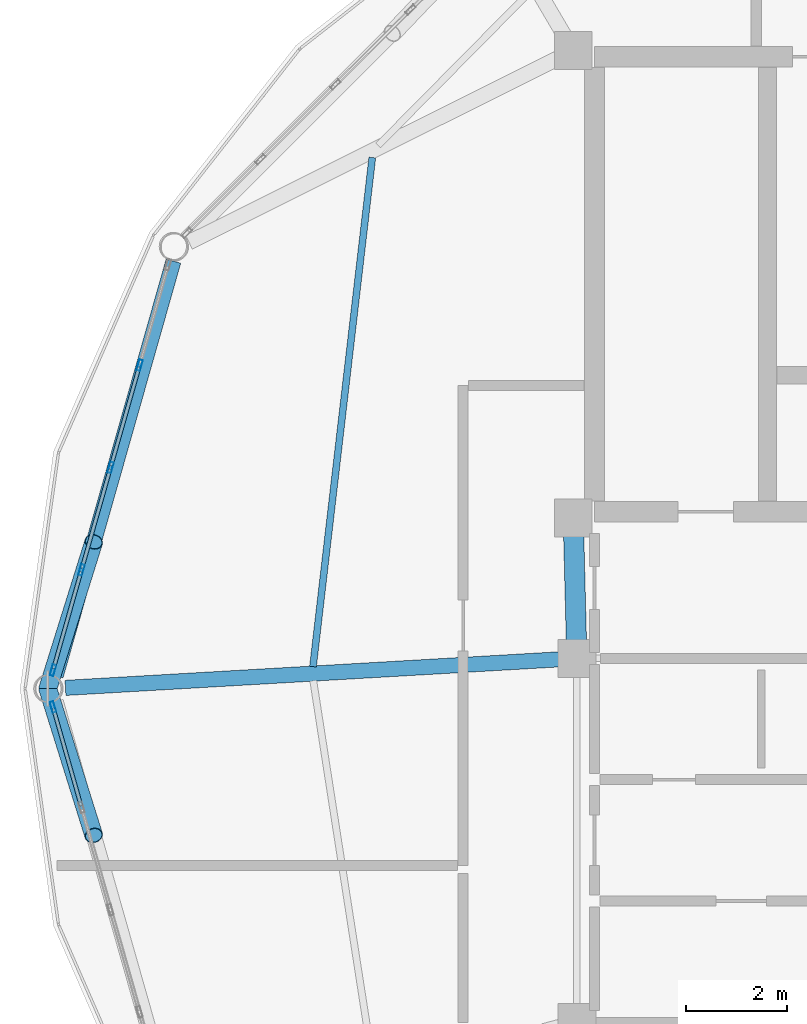
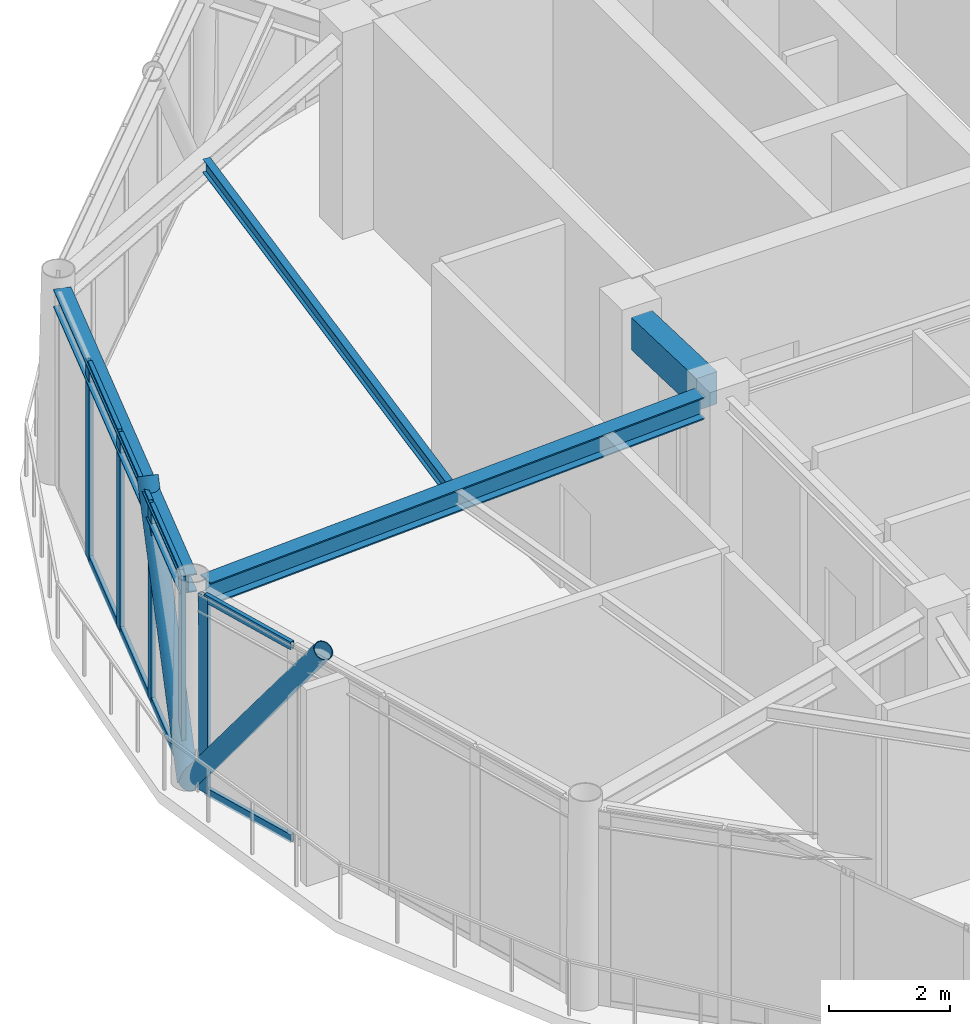
# One storey, part 8 of 21: 15 members, 4 beams, 2 elements without a shape of their own.
"""IFC4 building model written with IfcOpenShell, lengths in metres."""

from ifc_helpers import new_model, si_unit, direction, frame, origin, origin_2d, place, context, subcontext, project, spatial, rectangle, hollow_rectangle, hollow_circle, i_section, extrude, material, layer, layer_set, material_profile, profile_set, type_object, element, aggregate, save


model = new_model("IFC4")

# Units and contexts
model_context = context("Model", 3, precision=1e-05, world=origin(), true_north=direction((0.0, 1.0)))
body_context = subcontext(model_context, "Body", "Model", "MODEL_VIEW")
ifc_project = project(units=[si_unit("LENGTHUNIT", "METRE"), si_unit("AREAUNIT", "SQUARE_METRE"), si_unit("VOLUMEUNIT", "CUBIC_METRE"), si_unit("PLANEANGLEUNIT", "RADIAN"), si_unit("MASSUNIT", "GRAM", prefix="KILO")], contexts=[model_context])

# Site, building, storey
site_placement = place(None, origin())
site = spatial("IfcSite", under=ifc_project, at=site_placement, CompositionType="ELEMENT")
building_placement = place(site_placement, origin())
building = spatial("IfcBuilding", under=site, at=building_placement, Name="Varnakorn Sky Granary", CompositionType="ELEMENT")
storey_placement = place(building_placement, frame((0.0, 0.0, 294.0)))
storey = spatial("IfcBuildingStorey", under=building, at=storey_placement, Name="L75", CompositionType="ELEMENT", Elevation=294.0)

# Beams
ifc_material_1 = material(Name="Concrete C50/60", Category="concrete")
ifc_material_profile_1 = material_profile(ifc_material_1, rectangle(XDim=0.39990234375, YDim=0.64990234375, at=origin_2d()), Name="RC 400x650")
ifc_profile_set_1 = profile_set([ifc_material_profile_1], Name="Concrete C50/60")
beam_type_1 = type_object("IfcBeamType", Name="BM-LIN-650", PredefinedType="LINTEL", material=ifc_profile_set_1)
beam_1_placement = place(storey_placement, frame((-2.4111328125, 3.025146484375, 3.635009765625), z_axis=(0.025227817192, -0.999681727971, 0.0), x_axis=(0.999681727971, 0.025227817192, 0.0)))
element("IfcBeam", 1, at=beam_1_placement, inside=storey, type_object=beam_type_1, Name="Core Spine Framing Beam 1 L75", PredefinedType="LINTEL", context=body_context, shape_type="SweptSolid", body=[
    extrude(rectangle(XDim=0.39990234375, YDim=0.64990234375, at=origin_2d()), origin(), (0.0, 0.0, 1.0), 2.071044921875),
])
ifc_material_2 = material(Name="Steel S355JR", Category="steel")
ifc_material_profile_2 = material_profile(ifc_material_2, i_section(OverallWidth=0.300048828125, OverallDepth=0.449951171875, WebThickness=0.013916015625, FlangeThickness=0.02587890625, at=origin_2d()), Name="HE 450 B")
ifc_profile_set_2 = profile_set([ifc_material_profile_2], Name="Steel S355JR")
beam_type_2 = type_object("IfcBeamType", Name="BM-RAD-Z5", PredefinedType="BEAM", material=ifc_profile_set_2)
beam_2_placement = place(storey_placement, frame((-2.704345703125, 0.57958984375, 3.735107421875), z_axis=(-0.998333446261, -0.057709012089, 0.0), x_axis=(0.057709012089, -0.998333446261, 0.0)))
element("IfcBeam", 2, at=beam_2_placement, inside=storey, type_object=beam_type_2, Name="Radial Floor Girder RG07 L75", PredefinedType="BEAM", context=body_context, shape_type="SweptSolid", body=[
    extrude(i_section(OverallWidth=0.300048828125, OverallDepth=0.449951171875, WebThickness=0.013916015625, FlangeThickness=0.02587890625, at=origin_2d()), origin(), (0.0, 0.0, 1.0), 9.77685546875),
])
ifc_material_profile_3 = material_profile(ifc_material_2, i_section(OverallWidth=0.135009765625, OverallDepth=0.27001953125, WebThickness=0.006591796875, FlangeThickness=0.01025390625, at=origin_2d()), Name="IPE 270")
ifc_profile_set_3 = profile_set([ifc_material_profile_3], Name="Steel S355JR")
beam_type_3 = type_object("IfcBeamType", Name="BM-SEC-Z5", PredefinedType="BEAM", material=ifc_profile_set_3)
beam_3_placement = place(storey_placement, frame((-6.395263671875, 10.506103515625, 3.824951171875), z_axis=(-0.115716364184, -0.993282297768, 0.0), x_axis=(0.993282297768, -0.115716364184, 0.0)))
element("IfcBeam", 3, at=beam_3_placement, inside=storey, type_object=beam_type_3, Name="Secondary Floor Chord Beam MSB06 L75", PredefinedType="BEAM", context=body_context, shape_type="SweptSolid", body=[
    extrude(i_section(OverallWidth=0.135009765625, OverallDepth=0.27001953125, WebThickness=0.006591796875, FlangeThickness=0.01025390625, at=origin_2d()), origin(), (0.0, 0.0, 1.0), 10.1376953125),
])
ifc_material_profile_4 = material_profile(ifc_material_2, i_section(OverallWidth=0.300048828125, OverallDepth=0.360107421875, WebThickness=0.012451171875, FlangeThickness=0.0224609375, at=origin_2d()), Name="HE 360 B")
ifc_profile_set_4 = profile_set([ifc_material_profile_4], Name="Steel S355JR")
beam_type_4 = type_object("IfcBeamType", Name="BM-SPD-Z5", PredefinedType="SPANDREL", material=ifc_profile_set_4)
beam_4_placement = place(storey_placement, frame((-10.3291015625, 8.45654296875, 3.780029296875), z_axis=(-0.273003685575, -0.962012987263, 0.0), x_axis=(0.962012987263, -0.273003685575, 0.0)))
element("IfcBeam", 4, at=beam_4_placement, inside=storey, type_object=beam_type_4, Name="Perimeter Spandrel Ring Beam RB06 L75", PredefinedType="SPANDREL", context=body_context, shape_type="SweptSolid", body=[
    extrude(i_section(OverallWidth=0.300048828125, OverallDepth=0.360107421875, WebThickness=0.012451171875, FlangeThickness=0.0224609375, at=origin_2d()), origin(), (0.0, 0.0, 1.0), 8.526123046875),
])

# Curtain wall, members
ifc_material_3 = material(Name="Anodised Bronze Aluminium Alloy 6063-T6", Category="aluminium")
ifc_layer = layer(ifc_material_3, 0.22998046875, Name="Anodised Bronze Aluminium Alloy 6063-T6")
ifc_layer_set = layer_set([ifc_layer], Name="Anodised Bronze Aluminium Alloy 6063-T6")
curtain_wall_type = type_object("IfcCurtainWallType", Name="CW-LNT-1", PredefinedType="USERDEFINED", material=ifc_layer_set)
curtain_wall_1_placement = place(storey_placement, origin())
curtain_wall_1 = element("IfcCurtainWall", 5, at=curtain_wall_1_placement, inside=storey, type_object=curtain_wall_type, Name="Unitised Curtain Wall CW7 CW-L75-B06", ObjectType="CURTAIN WALL", PredefinedType="USERDEFINED")
ifc_material_profile_5 = material_profile(ifc_material_3, hollow_rectangle(XDim=0.074951171875, YDim=0.219970703125, WallThickness=0.00390625, at=origin_2d()), Name="ALU MULL 75x220")
ifc_profile_set_5 = profile_set([ifc_material_profile_5], Name="Anodised Bronze Aluminium Alloy 6063-T6")
member_type_1 = type_object("IfcMemberType", Name="CW-LNT-1-MULL", PredefinedType="MULLION", material=ifc_profile_set_5)
member_1_placement = place(storey_placement, frame((-12.7109375, 0.36279296875, 0.0), z_axis=(0.0, 0.0, 1.0), x_axis=(-0.961978305633, 0.273125867489, 0.0)))
member_1 = element("IfcMember", 6, at=member_1_placement, type_object=member_type_1, Name="CW7 mullion 1", PredefinedType="MULLION", context=body_context, shape_type="SweptSolid", body=[
    extrude(hollow_rectangle(XDim=0.074951171875, YDim=0.219970703125, WallThickness=0.00390625, at=origin_2d()), origin(), (0.0, 0.0, 1.0), 3.9599609375),
])
member_2_placement = place(storey_placement, frame((-12.146728515625, 2.35009765625, 0.0), z_axis=(0.0, 0.0, 1.0), x_axis=(-0.961978305633, 0.273125867489, 0.0)))
member_2 = element("IfcMember", 7, at=member_2_placement, type_object=member_type_1, Name="CW7 mullion 2", PredefinedType="MULLION", context=body_context, shape_type="SweptSolid", body=[
    extrude(hollow_rectangle(XDim=0.074951171875, YDim=0.219970703125, WallThickness=0.00390625, at=origin_2d()), origin(), (0.0, 0.0, 1.0), 3.9599609375),
])
member_3_placement = place(storey_placement, frame((-11.572265625, 4.37353515625, 0.0), z_axis=(0.0, 0.0, 1.0), x_axis=(-0.961978305633, 0.273125867489, 0.0)))
member_3 = element("IfcMember", 8, at=member_3_placement, type_object=member_type_1, Name="CW7 mullion 3", PredefinedType="MULLION", context=body_context, shape_type="SweptSolid", body=[
    extrude(hollow_rectangle(XDim=0.074951171875, YDim=0.219970703125, WallThickness=0.00390625, at=origin_2d()), origin(), (0.0, 0.0, 1.0), 3.9599609375),
])
member_4_placement = place(storey_placement, frame((-10.997802734375, 6.39697265625, 0.0), z_axis=(0.0, 0.0, 1.0), x_axis=(-0.961978305633, 0.273125867489, 0.0)))
member_4 = element("IfcMember", 9, at=member_4_placement, type_object=member_type_1, Name="CW7 mullion 4", PredefinedType="MULLION", context=body_context, shape_type="SweptSolid", body=[
    extrude(hollow_rectangle(XDim=0.074951171875, YDim=0.219970703125, WallThickness=0.00390625, at=origin_2d()), origin(), (0.0, 0.0, 1.0), 3.9599609375),
])

# Curtain wall, member
curtain_wall_2_placement = place(storey_placement, origin())
curtain_wall_2 = element("IfcCurtainWall", 10, at=curtain_wall_2_placement, inside=storey, type_object=curtain_wall_type, Name="Unitised Curtain Wall CW7 CW-L75-B07", ObjectType="CURTAIN WALL", PredefinedType="USERDEFINED")
member_5_placement = place(storey_placement, frame((-12.7109375, -0.36279296875, 0.0), z_axis=(0.0, 0.0, 1.0), x_axis=(-0.961978305633, -0.273125867489, 0.0)))
member_5 = element("IfcMember", 11, at=member_5_placement, type_object=member_type_1, Name="CW7 mullion 5", PredefinedType="MULLION", context=body_context, shape_type="SweptSolid", body=[
    extrude(hollow_rectangle(XDim=0.074951171875, YDim=0.219970703125, WallThickness=0.00390625, at=origin_2d()), origin(), (0.0, 0.0, 1.0), 3.9599609375),
])

# Member
ifc_material_profile_6 = material_profile(ifc_material_3, hollow_rectangle(XDim=0.074951171875, YDim=0.159912109375, WallThickness=0.00390625, at=origin_2d()), Name="ALU TRAN 75x160")
ifc_profile_set_6 = profile_set([ifc_material_profile_6], Name="Anodised Bronze Aluminium Alloy 6063-T6")
member_type_2 = type_object("IfcMemberType", Name="CW-LNT-1-TRAN", PredefinedType="USERDEFINED", material=ifc_profile_set_6)
member_6_placement = place(storey_placement, frame((-12.700927734375, 0.398681640625, 0.03759765625), z_axis=(0.273198438694, 0.961957698184, 0.0), x_axis=(-0.961957698184, 0.273198438694, 0.0)))
member_6 = element("IfcMember", 12, at=member_6_placement, type_object=member_type_2, Name="CW7 transom 1.1", ObjectType="TRANSOM", PredefinedType="USERDEFINED", context=body_context, shape_type="SweptSolid", body=[
    extrude(hollow_rectangle(XDim=0.074951171875, YDim=0.159912109375, WallThickness=0.00390625, at=origin_2d()), origin(), (0.0, 0.0, 1.0), 1.990966796875),
])

member_7_placement = place(storey_placement, frame((-12.700927734375, 0.398681640625, 3.922607421875), z_axis=(0.273198438694, 0.961957698184, 0.0), x_axis=(-0.961957698184, 0.273198438694, 0.0)))
member_7 = element("IfcMember", 13, at=member_7_placement, type_object=member_type_2, Name="CW7 transom 1.2", ObjectType="TRANSOM", PredefinedType="USERDEFINED", context=body_context, shape_type="SweptSolid", body=[
    extrude(hollow_rectangle(XDim=0.074951171875, YDim=0.159912109375, WallThickness=0.00390625, at=origin_2d()), origin(), (0.0, 0.0, 1.0), 1.990966796875),
])

member_8_placement = place(storey_placement, frame((-12.136474609375, 2.38623046875, 0.03759765625), z_axis=(0.273115080632, 0.961981368183, 0.0), x_axis=(-0.961981368183, 0.273115080632, 0.0)))
member_8 = element("IfcMember", 14, at=member_8_placement, type_object=member_type_2, Name="CW7 transom 2.1", ObjectType="TRANSOM", PredefinedType="USERDEFINED", context=body_context, shape_type="SweptSolid", body=[
    extrude(hollow_rectangle(XDim=0.074951171875, YDim=0.159912109375, WallThickness=0.00390625, at=origin_2d()), origin(), (0.0, 0.0, 1.0), 2.0283203125),
])

member_9_placement = place(storey_placement, frame((-12.136474609375, 2.38623046875, 3.922607421875), z_axis=(0.273115080632, 0.961981368183, 0.0), x_axis=(-0.961981368183, 0.273115080632, 0.0)))
member_9 = element("IfcMember", 15, at=member_9_placement, type_object=member_type_2, Name="CW7 transom 2.2", ObjectType="TRANSOM", PredefinedType="USERDEFINED", context=body_context, shape_type="SweptSolid", body=[
    extrude(hollow_rectangle(XDim=0.074951171875, YDim=0.159912109375, WallThickness=0.00390625, at=origin_2d()), origin(), (0.0, 0.0, 1.0), 2.0283203125),
])

member_10_placement = place(storey_placement, frame((-11.56201171875, 4.40966796875, 0.03759765625), z_axis=(0.273115080632, 0.961981368183, 0.0), x_axis=(-0.961981368183, 0.273115080632, 0.0)))
member_10 = element("IfcMember", 16, at=member_10_placement, type_object=member_type_2, Name="CW7 transom 3.1", ObjectType="TRANSOM", PredefinedType="USERDEFINED", context=body_context, shape_type="SweptSolid", body=[
    extrude(hollow_rectangle(XDim=0.074951171875, YDim=0.159912109375, WallThickness=0.00390625, at=origin_2d()), origin(), (0.0, 0.0, 1.0), 2.0283203125),
])

member_11_placement = place(storey_placement, frame((-11.56201171875, 4.40966796875, 3.922607421875), z_axis=(0.273115080632, 0.961981368183, 0.0), x_axis=(-0.961981368183, 0.273115080632, 0.0)))
member_11 = element("IfcMember", 17, at=member_11_placement, type_object=member_type_2, Name="CW7 transom 3.2", ObjectType="TRANSOM", PredefinedType="USERDEFINED", context=body_context, shape_type="SweptSolid", body=[
    extrude(hollow_rectangle(XDim=0.074951171875, YDim=0.159912109375, WallThickness=0.00390625, at=origin_2d()), origin(), (0.0, 0.0, 1.0), 2.0283203125),
])

aggregate(curtain_wall_1, [member_1, member_2, member_3, member_4, member_6, member_7, member_8, member_9, member_10, member_11])

member_12_placement = place(storey_placement, frame((-12.156982421875, -2.31396484375, 0.03759765625), z_axis=(-0.273198438694, 0.961957698184, 0.0), x_axis=(-0.961957698184, -0.273198438694, 0.0)))
member_12 = element("IfcMember", 18, at=member_12_placement, type_object=member_type_2, Name="CW7 transom 4.1", ObjectType="TRANSOM", PredefinedType="USERDEFINED", context=body_context, shape_type="SweptSolid", body=[
    extrude(hollow_rectangle(XDim=0.074951171875, YDim=0.159912109375, WallThickness=0.00390625, at=origin_2d()), origin(), (0.0, 0.0, 1.0), 1.990966796875),
])

member_13_placement = place(storey_placement, frame((-12.156982421875, -2.31396484375, 3.922607421875), z_axis=(-0.273198438694, 0.961957698184, 0.0), x_axis=(-0.961957698184, -0.273198438694, 0.0)))
member_13 = element("IfcMember", 19, at=member_13_placement, type_object=member_type_2, Name="CW7 transom 4.2", ObjectType="TRANSOM", PredefinedType="USERDEFINED", context=body_context, shape_type="SweptSolid", body=[
    extrude(hollow_rectangle(XDim=0.074951171875, YDim=0.159912109375, WallThickness=0.00390625, at=origin_2d()), origin(), (0.0, 0.0, 1.0), 1.990966796875),
])

aggregate(curtain_wall_2, [member_5, member_12, member_13])

# Members
ifc_material_4 = material(Name="Steel S460M", Category="steel")
ifc_material_profile_7 = material_profile(ifc_material_4, hollow_circle(Radius=0.177734375, WallThickness=0.01416015625, at=origin_2d()), Name="CHS 355.6x14")
ifc_profile_set_7 = profile_set([ifc_material_profile_7], Name="Steel S460M")
member_type_3 = type_object("IfcMemberType", Name="MB-DIAG-T5", PredefinedType="BRACE", material=ifc_profile_set_7)
for number, where, z_axis, x_axis, name in (
    (20, (-12.81396484375, 0.0, 0.0), (0.178301208585, 0.569625187995, 0.802331492726), (-0.954339957813, 0.298722688998, 0.0), "Perimeter CHS Diagrid Brace DG06 L75"),
    (21, (-12.81396484375, 0.0, 0.0), (0.178301208585, -0.569625187995, 0.802331492726), (0.954339957813, 0.298722688998, 0.0), "Perimeter CHS Diagrid Brace DG07 L75"),
):
    element("IfcMember", number, at=place(storey_placement, frame(where, z_axis=z_axis, x_axis=x_axis)), inside=storey, type_object=member_type_3, Name=name, PredefinedType="BRACE", context=body_context, shape_type="SweptSolid", body=[
        extrude(hollow_circle(Radius=0.177734375, WallThickness=0.01416015625, at=origin_2d()), origin(), (0.0, 0.0, 1.0), 5.09765625),
    ])

save(model, "model.ifc")
